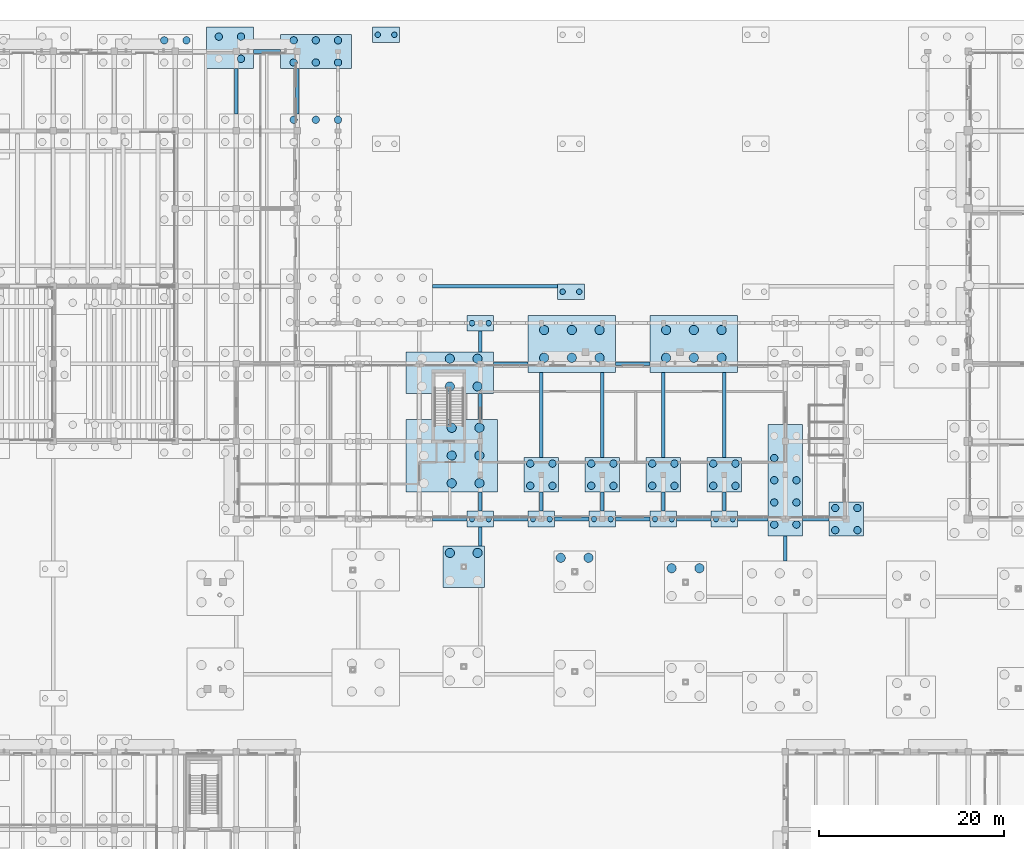
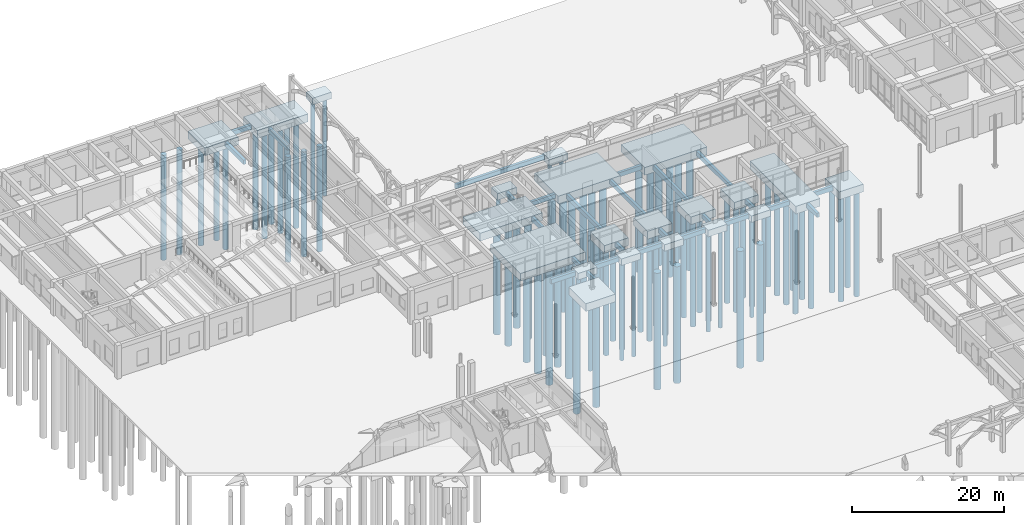
# One storey, part 6 of 82: 85 piles, 47 footings.
"""IFC4 building model written with IfcOpenShell, lengths in metres."""

from ifc_helpers import new_model, si_unit, direction, frame, origin, origin_2d, place, context, subcontext, project, spatial, rectangle, circle, extrude, material, material_profile, profile_set, type_object, element, save


model = new_model("IFC4")

# Units and contexts
model_context = context("Model", 3, precision=1e-05, world=origin(), true_north=direction((0.0, 1.0)))
body_context = subcontext(model_context, "Body", "Model", "MODEL_VIEW")
ifc_project = project(units=[si_unit("LENGTHUNIT", "METRE"), si_unit("AREAUNIT", "SQUARE_METRE"), si_unit("VOLUMEUNIT", "CUBIC_METRE"), si_unit("PLANEANGLEUNIT", "RADIAN"), si_unit("MASSUNIT", "GRAM", prefix="KILO")], contexts=[model_context])

# Site, building, storey
site_placement = place(None, origin())
site = spatial("IfcSite", under=ifc_project, at=site_placement, CompositionType="ELEMENT")
building_placement = place(site_placement, origin())
building = spatial("IfcBuilding", under=site, at=building_placement, Name="Kolvaren Faculty of Natural Sciences", CompositionType="ELEMENT")
storey_placement = place(building_placement, origin())
storey = spatial("IfcBuildingStorey", under=building, at=storey_placement, Name="L00", CompositionType="ELEMENT", Elevation=0.0)

# Piles
ifc_material = material(Name="Concrete C35/45", Category="concrete")
ifc_material_profile_1 = material_profile(ifc_material, circle(Radius=0.5, at=origin_2d()), Name="PILE D1000")
ifc_profile_set_1 = profile_set([ifc_material_profile_1], Name="Concrete C35/45")
pile_type_1 = type_object("IfcPileType", Name="BoredPile_1000", PredefinedType="BORED", material=ifc_profile_set_1)
for number, where, z_axis, x_axis, name in (
    (1, (63.10009765625, 71.27490234375, -1.469970703125), (0.0, 0.0, -1.0), (1.0, 0.0, 0.0), "Rock-socketed bored pile BP-1000 under CAP-154"),
    (2, (63.10009765625, 74.27490234375, -1.469970703125), (0.0, 0.0, -1.0), (1.0, 0.0, 0.0), "Rock-socketed bored pile BP-1000 under CAP-154"),
    (3, (63.10009765625, 77.27490234375, -1.469970703125), (0.0, 0.0, -1.0), (1.0, 0.0, 0.0), "Rock-socketed bored pile BP-1000 under CAP-154"),
    (4, (66.10009765625, 71.27490234375, -1.469970703125), (0.0, 0.0, -1.0), (1.0, 0.0, 0.0), "Rock-socketed bored pile BP-1000 under CAP-154"),
    (5, (66.10009765625, 74.27490234375, -1.469970703125), (0.0, 0.0, -1.0), (1.0, 0.0, 0.0), "Rock-socketed bored pile BP-1000 under CAP-154"),
    (6, (66.10009765625, 77.27490234375, -1.469970703125), (0.0, 0.0, -1.0), (1.0, 0.0, 0.0), "Rock-socketed bored pile BP-1000 under CAP-154"),
    (7, (62.89990234375, 81.75, -1.469970703125), (0.0, 0.0, -1.0), (1.0, 0.0, 0.0), "Rock-socketed bored pile BP-1000 under CAP-155"),
    (8, (62.89990234375, 84.75, -1.469970703125), (0.0, 0.0, -1.0), (1.0, 0.0, 0.0), "Rock-socketed bored pile BP-1000 under CAP-155"),
    (9, (65.89990234375, 81.75, -1.469970703125), (0.0, 0.0, -1.0), (1.0, 0.0, 0.0), "Rock-socketed bored pile BP-1000 under CAP-155"),
    (10, (65.89990234375, 84.75, -1.469970703125), (0.0, 0.0, -1.0), (1.0, 0.0, 0.0), "Rock-socketed bored pile BP-1000 under CAP-155"),
    (11, (62.89990234375, 63.739990234375, -1.469970703125), (0.0, 0.0, -1.0), (1.0, 0.0, 0.0), "Rock-socketed bored pile BP-1000 under CAP-157"),
    (12, (65.89990234375, 63.739990234375, -1.469970703125), (0.0, 0.0, -1.0), (1.0, 0.0, 0.0), "Rock-socketed bored pile BP-1000 under CAP-157"),
    (13, (73.10009765625, 84.85009765625, -1.469970703125), (0.0, 0.0, -1.0), (1.0, 0.0, 0.0), "Rock-socketed bored pile BP-1000 under CAP-164"),
    (14, (73.10009765625, 87.85009765625, -1.469970703125), (0.0, 0.0, -1.0), (1.0, 0.0, 0.0), "Rock-socketed bored pile BP-1000 under CAP-164"),
    (15, (76.10009765625, 84.85009765625, -1.469970703125), (0.0, 0.0, -1.0), (1.0, 0.0, 0.0), "Rock-socketed bored pile BP-1000 under CAP-164"),
    (16, (76.10009765625, 87.85009765625, -1.469970703125), (0.0, 0.0, -1.0), (1.0, 0.0, 0.0), "Rock-socketed bored pile BP-1000 under CAP-164"),
    (17, (79.10009765625, 84.85009765625, -1.469970703125), (0.0, 0.0, -1.0), (1.0, 0.0, 0.0), "Rock-socketed bored pile BP-1000 under CAP-164"),
    (18, (79.10009765625, 87.85009765625, -1.469970703125), (0.0, 0.0, -1.0), (1.0, 0.0, 0.0), "Rock-socketed bored pile BP-1000 under CAP-164"),
    (19, (74.89990234375, 63.2099609375, -1.469970703125), (0.0, 0.0, -1.0), (1.0, 0.0, 0.0), "Rock-socketed bored pile BP-1000 under CAP-166"),
    (20, (77.89990234375, 63.2099609375, -1.469970703125), (0.0, 0.0, -1.0), (1.0, 0.0, 0.0), "Rock-socketed bored pile BP-1000 under CAP-166"),
    (21, (86.300048828125, 84.85009765625, -1.469970703125), (0.0, 0.0, -1.0), (1.0, 0.0, 0.0), "Rock-socketed bored pile BP-1000 under CAP-177"),
    (22, (86.300048828125, 87.85009765625, -1.469970703125), (0.0, 0.0, -1.0), (1.0, 0.0, 0.0), "Rock-socketed bored pile BP-1000 under CAP-177"),
    (23, (89.300048828125, 84.85009765625, -1.469970703125), (0.0, 0.0, -1.0), (1.0, 0.0, 0.0), "Rock-socketed bored pile BP-1000 under CAP-177"),
    (24, (89.300048828125, 87.85009765625, -1.469970703125), (0.0, 0.0, -1.0), (1.0, 0.0, 0.0), "Rock-socketed bored pile BP-1000 under CAP-177"),
    (25, (92.300048828125, 84.85009765625, -1.469970703125), (0.0, 0.0, -1.0), (1.0, 0.0, 0.0), "Rock-socketed bored pile BP-1000 under CAP-177"),
    (26, (92.300048828125, 87.85009765625, -1.469970703125), (0.0, 0.0, -1.0), (1.0, 0.0, 0.0), "Rock-socketed bored pile BP-1000 under CAP-177"),
    (27, (86.89990234375, 62.080078125, -1.469970703125), (0.0, 0.0, -1.0), (1.0, 0.0, 0.0), "Rock-socketed bored pile BP-1000 under CAP-179"),
    (28, (89.89990234375, 62.080078125, -1.469970703125), (0.0, 0.0, -1.0), (1.0, 0.0, 0.0), "Rock-socketed bored pile BP-1000 under CAP-179"),
):
    element("IfcPile", number, at=place(storey_placement, frame(where, z_axis=z_axis, x_axis=x_axis)), inside=storey, type_object=pile_type_1, Name=name, PredefinedType="BORED", context=body_context, shape_type="SweptSolid", body=[
        extrude(circle(Radius=0.5, at=origin_2d()), origin(), (0.0, 0.0, 1.0), 18.830078125),
    ])
ifc_material_profile_2 = material_profile(ifc_material, circle(Radius=0.300048828125, at=origin_2d()), Name="PILE D600")
ifc_profile_set_2 = profile_set([ifc_material_profile_2], Name="Concrete C35/45")
pile_type_2 = type_object("IfcPileType", Name="BoredPile_600", PredefinedType="BORED", material=ifc_profile_set_2)
for number, where, z_axis, x_axis, name in (
    (29, (55.10009765625, 119.800048828125, -1.27001953125), (0.0, 0.0, -1.0), (1.0, 0.0, 0.0), "Rock-socketed bored pile BP-600 under CAP-152"),
    (30, (56.89990234375, 119.800048828125, -1.27001953125), (0.0, 0.0, -1.0), (1.0, 0.0, 0.0), "Rock-socketed bored pile BP-600 under CAP-152"),
    (31, (65.300048828125, 67.39990234375, -1.27001953125), (0.0, 0.0, -1.0), (1.0, 0.0, 0.0), "Rock-socketed bored pile BP-600 under CAP-159"),
    (32, (67.10009765625, 67.39990234375, -1.27001953125), (0.0, 0.0, -1.0), (1.0, 0.0, 0.0), "Rock-socketed bored pile BP-600 under CAP-159"),
    (33, (65.300048828125, 88.60009765625, -1.27001953125), (0.0, 0.0, -1.0), (1.0, 0.0, 0.0), "Rock-socketed bored pile BP-600 under CAP-160"),
    (34, (67.10009765625, 88.60009765625, -1.27001953125), (0.0, 0.0, -1.0), (1.0, 0.0, 0.0), "Rock-socketed bored pile BP-600 under CAP-160"),
    (35, (71.89990234375, 67.39990234375, -1.27001953125), (0.0, 0.0, -1.0), (1.0, 0.0, 0.0), "Rock-socketed bored pile BP-600 under CAP-163"),
    (36, (73.699951171875, 67.39990234375, -1.27001953125), (0.0, 0.0, -1.0), (1.0, 0.0, 0.0), "Rock-socketed bored pile BP-600 under CAP-163"),
    (37, (75.10009765625, 92.0, -1.27001953125), (0.0, 0.0, -1.0), (1.0, 0.0, 0.0), "Rock-socketed bored pile BP-600 under CAP-168"),
    (38, (76.89990234375, 92.0, -1.27001953125), (0.0, 0.0, -1.0), (1.0, 0.0, 0.0), "Rock-socketed bored pile BP-600 under CAP-168"),
    (39, (78.5, 67.39990234375, -1.27001953125), (0.0, 0.0, -1.0), (1.0, 0.0, 0.0), "Rock-socketed bored pile BP-600 under CAP-173"),
    (40, (80.300048828125, 67.39990234375, -1.27001953125), (0.0, 0.0, -1.0), (1.0, 0.0, 0.0), "Rock-socketed bored pile BP-600 under CAP-173"),
    (41, (85.10009765625, 67.39990234375, -1.27001953125), (0.0, 0.0, -1.0), (1.0, 0.0, 0.0), "Rock-socketed bored pile BP-600 under CAP-176"),
    (42, (86.89990234375, 67.39990234375, -1.27001953125), (0.0, 0.0, -1.0), (1.0, 0.0, 0.0), "Rock-socketed bored pile BP-600 under CAP-176"),
    (43, (91.699951171875, 67.39990234375, -1.27001953125), (0.0, 0.0, -1.0), (1.0, 0.0, 0.0), "Rock-socketed bored pile BP-600 under CAP-182"),
    (44, (93.5, 67.39990234375, -1.27001953125), (0.0, 0.0, -1.0), (1.0, 0.0, 0.0), "Rock-socketed bored pile BP-600 under CAP-182"),
):
    element("IfcPile", number, at=place(storey_placement, frame(where, z_axis=z_axis, x_axis=x_axis)), inside=storey, type_object=pile_type_2, Name=name, PredefinedType="BORED", context=body_context, shape_type="SweptSolid", body=[
        extrude(circle(Radius=0.300048828125, at=origin_2d()), origin(), (0.0, 0.0, 1.0), 15.929931640625),
    ])
ifc_material_profile_3 = material_profile(ifc_material, circle(Radius=0.39990234375, at=origin_2d()), Name="PILE D800")
ifc_profile_set_3 = profile_set([ifc_material_profile_3], Name="Concrete C35/45")
pile_type_3 = type_object("IfcPileType", Name="BoredPile_800", PredefinedType="BORED", material=ifc_profile_set_3)
for number, where, z_axis, x_axis, name in (
    (45, (32.0, 119.199951171875, -1.469970703125), (0.0, 0.0, -1.0), (1.0, 0.0, 0.0), "Rock-socketed bored pile BP-800 under CAP-126"),
    (46, (34.39990234375, 119.199951171875, -1.469970703125), (0.0, 0.0, -1.0), (1.0, 0.0, 0.0), "Rock-socketed bored pile BP-800 under CAP-126"),
    (47, (37.89990234375, 119.60009765625, -1.469970703125), (0.0, 0.0, -1.0), (1.0, 0.0, 0.0), "Rock-socketed bored pile BP-800 under CAP-130"),
    (48, (40.300048828125, 117.199951171875, -1.469970703125), (0.0, 0.0, -1.0), (1.0, 0.0, 0.0), "Rock-socketed bored pile BP-800 under CAP-130"),
    (49, (40.300048828125, 119.60009765625, -1.469970703125), (0.0, 0.0, -1.0), (1.0, 0.0, 0.0), "Rock-socketed bored pile BP-800 under CAP-130"),
    (50, (46.0, 110.60009765625, -1.469970703125), (0.0, 0.0, -1.0), (1.0, 0.0, 0.0), "Rock-socketed bored pile BP-800 under CAP-143"),
    (51, (48.39990234375, 110.60009765625, -1.469970703125), (0.0, 0.0, -1.0), (1.0, 0.0, 0.0), "Rock-socketed bored pile BP-800 under CAP-143"),
    (52, (50.800048828125, 110.60009765625, -1.469970703125), (0.0, 0.0, -1.0), (1.0, 0.0, 0.0), "Rock-socketed bored pile BP-800 under CAP-143"),
    (53, (46.0, 116.800048828125, -1.469970703125), (0.0, 0.0, -1.0), (1.0, 0.0, 0.0), "Rock-socketed bored pile BP-800 under CAP-144"),
    (54, (46.0, 119.199951171875, -1.469970703125), (0.0, 0.0, -1.0), (1.0, 0.0, 0.0), "Rock-socketed bored pile BP-800 under CAP-144"),
    (55, (48.39990234375, 116.800048828125, -1.469970703125), (0.0, 0.0, -1.0), (1.0, 0.0, 0.0), "Rock-socketed bored pile BP-800 under CAP-144"),
    (56, (48.39990234375, 119.199951171875, -1.469970703125), (0.0, 0.0, -1.0), (1.0, 0.0, 0.0), "Rock-socketed bored pile BP-800 under CAP-144"),
    (57, (50.800048828125, 116.800048828125, -1.469970703125), (0.0, 0.0, -1.0), (1.0, 0.0, 0.0), "Rock-socketed bored pile BP-800 under CAP-144"),
    (58, (50.800048828125, 119.199951171875, -1.469970703125), (0.0, 0.0, -1.0), (1.0, 0.0, 0.0), "Rock-socketed bored pile BP-800 under CAP-144"),
    (59, (71.60009765625, 71.0, -1.469970703125), (0.0, 0.0, -1.0), (1.0, 0.0, 0.0), "Rock-socketed bored pile BP-800 under CAP-161"),
    (60, (71.60009765625, 73.39990234375, -1.469970703125), (0.0, 0.0, -1.0), (1.0, 0.0, 0.0), "Rock-socketed bored pile BP-800 under CAP-161"),
    (61, (74.0, 71.0, -1.469970703125), (0.0, 0.0, -1.0), (1.0, 0.0, 0.0), "Rock-socketed bored pile BP-800 under CAP-161"),
    (62, (74.0, 73.39990234375, -1.469970703125), (0.0, 0.0, -1.0), (1.0, 0.0, 0.0), "Rock-socketed bored pile BP-800 under CAP-161"),
    (63, (78.199951171875, 71.0, -1.469970703125), (0.0, 0.0, -1.0), (1.0, 0.0, 0.0), "Rock-socketed bored pile BP-800 under CAP-171"),
    (64, (78.199951171875, 73.39990234375, -1.469970703125), (0.0, 0.0, -1.0), (1.0, 0.0, 0.0), "Rock-socketed bored pile BP-800 under CAP-171"),
    (65, (80.60009765625, 71.0, -1.469970703125), (0.0, 0.0, -1.0), (1.0, 0.0, 0.0), "Rock-socketed bored pile BP-800 under CAP-171"),
    (66, (80.60009765625, 73.39990234375, -1.469970703125), (0.0, 0.0, -1.0), (1.0, 0.0, 0.0), "Rock-socketed bored pile BP-800 under CAP-171"),
    (67, (84.800048828125, 71.0, -1.469970703125), (0.0, 0.0, -1.0), (1.0, 0.0, 0.0), "Rock-socketed bored pile BP-800 under CAP-174"),
    (68, (84.800048828125, 73.39990234375, -1.469970703125), (0.0, 0.0, -1.0), (1.0, 0.0, 0.0), "Rock-socketed bored pile BP-800 under CAP-174"),
    (69, (87.199951171875, 71.0, -1.469970703125), (0.0, 0.0, -1.0), (1.0, 0.0, 0.0), "Rock-socketed bored pile BP-800 under CAP-174"),
    (70, (87.199951171875, 73.39990234375, -1.469970703125), (0.0, 0.0, -1.0), (1.0, 0.0, 0.0), "Rock-socketed bored pile BP-800 under CAP-174"),
    (71, (91.39990234375, 71.0, -1.469970703125), (0.0, 0.0, -1.0), (1.0, 0.0, 0.0), "Rock-socketed bored pile BP-800 under CAP-180"),
    (72, (91.39990234375, 73.39990234375, -1.469970703125), (0.0, 0.0, -1.0), (1.0, 0.0, 0.0), "Rock-socketed bored pile BP-800 under CAP-180"),
    (73, (93.800048828125, 71.0, -1.469970703125), (0.0, 0.0, -1.0), (1.0, 0.0, 0.0), "Rock-socketed bored pile BP-800 under CAP-180"),
    (74, (93.800048828125, 73.39990234375, -1.469970703125), (0.0, 0.0, -1.0), (1.0, 0.0, 0.0), "Rock-socketed bored pile BP-800 under CAP-180"),
    (75, (98.0, 66.800048828125, -1.469970703125), (0.0, 0.0, -1.0), (1.0, 0.0, 0.0), "Rock-socketed bored pile BP-800 under CAP-188"),
    (76, (98.0, 69.199951171875, -1.469970703125), (0.0, 0.0, -1.0), (1.0, 0.0, 0.0), "Rock-socketed bored pile BP-800 under CAP-188"),
    (77, (98.0, 71.60009765625, -1.469970703125), (0.0, 0.0, -1.0), (1.0, 0.0, 0.0), "Rock-socketed bored pile BP-800 under CAP-188"),
    (78, (98.0, 74.0, -1.469970703125), (0.0, 0.0, -1.0), (1.0, 0.0, 0.0), "Rock-socketed bored pile BP-800 under CAP-188"),
    (79, (100.39990234375, 66.800048828125, -1.469970703125), (0.0, 0.0, -1.0), (1.0, 0.0, 0.0), "Rock-socketed bored pile BP-800 under CAP-188"),
    (80, (100.39990234375, 69.199951171875, -1.469970703125), (0.0, 0.0, -1.0), (1.0, 0.0, 0.0), "Rock-socketed bored pile BP-800 under CAP-188"),
    (81, (100.39990234375, 71.60009765625, -1.469970703125), (0.0, 0.0, -1.0), (1.0, 0.0, 0.0), "Rock-socketed bored pile BP-800 under CAP-188"),
    (82, (104.60009765625, 66.199951171875, -1.469970703125), (0.0, 0.0, -1.0), (1.0, 0.0, 0.0), "Rock-socketed bored pile BP-800 under CAP-194"),
    (83, (104.60009765625, 68.60009765625, -1.469970703125), (0.0, 0.0, -1.0), (1.0, 0.0, 0.0), "Rock-socketed bored pile BP-800 under CAP-194"),
    (84, (107.0, 66.199951171875, -1.469970703125), (0.0, 0.0, -1.0), (1.0, 0.0, 0.0), "Rock-socketed bored pile BP-800 under CAP-194"),
    (85, (107.0, 68.60009765625, -1.469970703125), (0.0, 0.0, -1.0), (1.0, 0.0, 0.0), "Rock-socketed bored pile BP-800 under CAP-194"),
):
    element("IfcPile", number, at=place(storey_placement, frame(where, z_axis=z_axis, x_axis=x_axis)), inside=storey, type_object=pile_type_3, Name=name, PredefinedType="BORED", context=body_context, shape_type="SweptSolid", body=[
        extrude(circle(Radius=0.39990234375, at=origin_2d()), origin(), (0.0, 0.0, 1.0), 16.929931640625),
    ])

# Footings
ifc_material_profile_4 = material_profile(ifc_material, rectangle(XDim=0.39990234375, YDim=0.699951171875, at=origin_2d()), Name="RC FB 400x700")
ifc_profile_set_4 = profile_set([ifc_material_profile_4], Name="Concrete C35/45")
footing_type_1 = type_object("IfcFootingType", Name="FootingTieBeam_400x700", PredefinedType="FOOTING_BEAM", material=ifc_profile_set_4)
footing_1_placement = place(storey_placement, frame((61.050048828125, 67.39990234375, -0.75), z_axis=(1.0, 0.0, 0.0), x_axis=(0.0, 1.0, 0.0)))
element("IfcFooting", 86, at=footing_1_placement, inside=storey, type_object=footing_type_1, Name="L00 orthogonal foundation tie beam FB-01", PredefinedType="FOOTING_BEAM", context=body_context, shape_type="SweptSolid", body=[
    extrude(rectangle(XDim=0.39990234375, YDim=0.699951171875, at=origin_2d()), origin(), (0.0, 0.0, 1.0), 3.699951171875),
])
footing_2_placement = place(storey_placement, frame((67.64990234375, 67.39990234375, -0.75), z_axis=(1.0, 0.0, 0.0), x_axis=(0.0, 1.0, 0.0)))
element("IfcFooting", 87, at=footing_2_placement, inside=storey, type_object=footing_type_1, Name="L00 orthogonal foundation tie beam FB-01", PredefinedType="FOOTING_BEAM", context=body_context, shape_type="SweptSolid", body=[
    extrude(rectangle(XDim=0.39990234375, YDim=0.699951171875, at=origin_2d()), origin(), (0.0, 0.0, 1.0), 3.7001953125),
])
for number, where, z_axis, x_axis, name in (
    (88, (74.25, 67.39990234375, -0.75), (1.0, 0.0, 0.0), (0.0, 1.0, 0.0), "L00 orthogonal foundation tie beam FB-01"),
    (89, (80.85009765625, 67.39990234375, -0.75), (1.0, 0.0, 0.0), (0.0, 1.0, 0.0), "L00 orthogonal foundation tie beam FB-01"),
    (90, (87.449951171875, 67.39990234375, -0.75), (1.0, 0.0, 0.0), (0.0, 1.0, 0.0), "L00 orthogonal foundation tie beam FB-01"),
):
    element("IfcFooting", number, at=place(storey_placement, frame(where, z_axis=z_axis, x_axis=x_axis)), inside=storey, type_object=footing_type_1, Name=name, PredefinedType="FOOTING_BEAM", context=body_context, shape_type="SweptSolid", body=[
        extrude(rectangle(XDim=0.39990234375, YDim=0.699951171875, at=origin_2d()), origin(), (0.0, 0.0, 1.0), 3.699951171875),
    ])
footing_3_placement = place(storey_placement, frame((94.050048828125, 67.39990234375, -0.75), z_axis=(1.0, 0.0, 0.0), x_axis=(0.0, 1.0, 0.0)))
element("IfcFooting", 91, at=footing_3_placement, inside=storey, type_object=footing_type_1, Name="L00 orthogonal foundation tie beam FB-01", PredefinedType="FOOTING_BEAM", context=body_context, shape_type="SweptSolid", body=[
    extrude(rectangle(XDim=0.39990234375, YDim=0.699951171875, at=origin_2d()), origin(), (0.0, 0.0, 1.0), 3.300048828125),
])
footing_4_placement = place(storey_placement, frame((101.050048828125, 67.39990234375, -0.75), z_axis=(1.0, 0.0, 0.0), x_axis=(0.0, 1.0, 0.0)))
element("IfcFooting", 92, at=footing_4_placement, inside=storey, type_object=footing_type_1, Name="L00 orthogonal foundation tie beam FB-01", PredefinedType="FOOTING_BEAM", context=body_context, shape_type="SweptSolid", body=[
    extrude(rectangle(XDim=0.39990234375, YDim=0.699951171875, at=origin_2d()), origin(), (0.0, 0.0, 1.0), 2.89990234375),
])
footing_5_placement = place(storey_placement, frame((67.64990234375, 84.199951171875, -0.75), z_axis=(1.0, 0.0, 0.0), x_axis=(0.0, 1.0, 0.0)))
element("IfcFooting", 93, at=footing_5_placement, inside=storey, type_object=footing_type_1, Name="L00 orthogonal foundation tie beam FB-01", PredefinedType="FOOTING_BEAM", context=body_context, shape_type="SweptSolid", body=[
    extrude(rectangle(XDim=0.39990234375, YDim=0.699951171875, at=origin_2d()), origin(), (0.0, 0.0, 1.0), 3.7001953125),
])
footing_6_placement = place(storey_placement, frame((80.85009765625, 84.199951171875, -0.75), z_axis=(1.0, 0.0, 0.0), x_axis=(0.0, 1.0, 0.0)))
element("IfcFooting", 94, at=footing_6_placement, inside=storey, type_object=footing_type_1, Name="L00 orthogonal foundation tie beam FB-01", PredefinedType="FOOTING_BEAM", context=body_context, shape_type="SweptSolid", body=[
    extrude(rectangle(XDim=0.39990234375, YDim=0.699951171875, at=origin_2d()), origin(), (0.0, 0.0, 1.0), 3.699951171875),
])
footing_7_placement = place(storey_placement, frame((61.050048828125, 92.60009765625, -0.75), z_axis=(1.0, 0.0, 0.0), x_axis=(0.0, 1.0, 0.0)))
element("IfcFooting", 95, at=footing_7_placement, inside=storey, type_object=footing_type_1, Name="L00 orthogonal foundation tie beam FB-01", PredefinedType="FOOTING_BEAM", context=body_context, shape_type="SweptSolid", body=[
    extrude(rectangle(XDim=0.39990234375, YDim=0.699951171875, at=origin_2d()), origin(), (0.0, 0.0, 1.0), 13.5),
])
footing_8_placement = place(storey_placement, frame((41.64990234375, 118.0, -0.75), z_axis=(1.0, 0.0, 0.0), x_axis=(0.0, 1.0, 0.0)))
element("IfcFooting", 96, at=footing_8_placement, inside=storey, type_object=footing_type_1, Name="L00 orthogonal foundation tie beam FB-01", PredefinedType="FOOTING_BEAM", context=body_context, shape_type="SweptSolid", body=[
    extrude(rectangle(XDim=0.39990234375, YDim=0.699951171875, at=origin_2d()), origin(), (0.0, 0.0, 1.0), 2.900146484375),
])
for number, where, z_axis, x_axis, name in (
    (97, (39.800048828125, 111.25, -0.75), (0.0, 1.0, 0.0), (-1.0, 0.0, 0.0), "L00 orthogonal foundation tie beam FB-01"),
    (98, (46.39990234375, 111.25, -0.75), (0.0, 1.0, 0.0), (-1.0, 0.0, 0.0), "L00 orthogonal foundation tie beam FB-01"),
):
    element("IfcFooting", number, at=place(storey_placement, frame(where, z_axis=z_axis, x_axis=x_axis)), inside=storey, type_object=footing_type_1, Name=name, PredefinedType="FOOTING_BEAM", context=body_context, shape_type="SweptSolid", body=[
        extrude(rectangle(XDim=0.39990234375, YDim=0.699951171875, at=origin_2d()), origin(), (0.0, 0.0, 1.0), 4.89990234375),
    ])
footing_9_placement = place(storey_placement, frame((66.199951171875, 64.489990234375, -0.75), z_axis=(0.0, 1.0, 0.0), x_axis=(-1.0, 0.0, 0.0)))
element("IfcFooting", 99, at=footing_9_placement, inside=storey, type_object=footing_type_1, Name="L00 orthogonal foundation tie beam FB-01", PredefinedType="FOOTING_BEAM", context=body_context, shape_type="SweptSolid", body=[
    extrude(rectangle(XDim=0.39990234375, YDim=0.699951171875, at=origin_2d()), origin(), (0.0, 0.0, 1.0), 2.06005859375),
])
footing_10_placement = place(storey_placement, frame((66.199951171875, 68.25, -0.75), z_axis=(0.0, 1.0, 0.0), x_axis=(-1.0, 0.0, 0.0)))
element("IfcFooting", 100, at=footing_10_placement, inside=storey, type_object=footing_type_1, Name="L00 orthogonal foundation tie beam FB-01", PredefinedType="FOOTING_BEAM", context=body_context, shape_type="SweptSolid", body=[
    extrude(rectangle(XDim=0.39990234375, YDim=0.699951171875, at=origin_2d()), origin(), (0.0, 0.0, 1.0), 2.10009765625),
])
footing_11_placement = place(storey_placement, frame((66.199951171875, 78.199951171875, -0.75), z_axis=(0.0, 1.0, 0.0), x_axis=(-1.0, 0.0, 0.0)))
element("IfcFooting", 101, at=footing_11_placement, inside=storey, type_object=footing_type_1, Name="L00 orthogonal foundation tie beam FB-01", PredefinedType="FOOTING_BEAM", context=body_context, shape_type="SweptSolid", body=[
    extrude(rectangle(XDim=0.39990234375, YDim=0.699951171875, at=origin_2d()), origin(), (0.0, 0.0, 1.0), 2.800048828125),
])
footing_12_placement = place(storey_placement, frame((66.199951171875, 85.5, -0.75), z_axis=(0.0, 1.0, 0.0), x_axis=(-1.0, 0.0, 0.0)))
element("IfcFooting", 102, at=footing_12_placement, inside=storey, type_object=footing_type_1, Name="L00 orthogonal foundation tie beam FB-01", PredefinedType="FOOTING_BEAM", context=body_context, shape_type="SweptSolid", body=[
    extrude(rectangle(XDim=0.39990234375, YDim=0.699951171875, at=origin_2d()), origin(), (0.0, 0.0, 1.0), 2.25),
])
footing_13_placement = place(storey_placement, frame((72.800048828125, 68.25, -0.75), z_axis=(0.0, 1.0, 0.0), x_axis=(-1.0, 0.0, 0.0)))
element("IfcFooting", 103, at=footing_13_placement, inside=storey, type_object=footing_type_1, Name="L00 orthogonal foundation tie beam FB-01", PredefinedType="FOOTING_BEAM", context=body_context, shape_type="SweptSolid", body=[
    extrude(rectangle(XDim=0.39990234375, YDim=0.699951171875, at=origin_2d()), origin(), (0.0, 0.0, 1.0), 2.10009765625),
])
footing_14_placement = place(storey_placement, frame((72.800048828125, 74.050048828125, -0.75), z_axis=(0.0, 1.0, 0.0), x_axis=(-1.0, 0.0, 0.0)))
element("IfcFooting", 104, at=footing_14_placement, inside=storey, type_object=footing_type_1, Name="L00 orthogonal foundation tie beam FB-01", PredefinedType="FOOTING_BEAM", context=body_context, shape_type="SweptSolid", body=[
    extrude(rectangle(XDim=0.39990234375, YDim=0.699951171875, at=origin_2d()), origin(), (0.0, 0.0, 1.0), 9.199951171875),
])
footing_15_placement = place(storey_placement, frame((79.39990234375, 68.25, -0.75), z_axis=(0.0, 1.0, 0.0), x_axis=(-1.0, 0.0, 0.0)))
element("IfcFooting", 105, at=footing_15_placement, inside=storey, type_object=footing_type_1, Name="L00 orthogonal foundation tie beam FB-01", PredefinedType="FOOTING_BEAM", context=body_context, shape_type="SweptSolid", body=[
    extrude(rectangle(XDim=0.39990234375, YDim=0.699951171875, at=origin_2d()), origin(), (0.0, 0.0, 1.0), 2.10009765625),
])
footing_16_placement = place(storey_placement, frame((79.39990234375, 74.050048828125, -0.75), z_axis=(0.0, 1.0, 0.0), x_axis=(-1.0, 0.0, 0.0)))
element("IfcFooting", 106, at=footing_16_placement, inside=storey, type_object=footing_type_1, Name="L00 orthogonal foundation tie beam FB-01", PredefinedType="FOOTING_BEAM", context=body_context, shape_type="SweptSolid", body=[
    extrude(rectangle(XDim=0.39990234375, YDim=0.699951171875, at=origin_2d()), origin(), (0.0, 0.0, 1.0), 9.199951171875),
])
footing_17_placement = place(storey_placement, frame((86.0, 68.25, -0.75), z_axis=(0.0, 1.0, 0.0), x_axis=(-1.0, 0.0, 0.0)))
element("IfcFooting", 107, at=footing_17_placement, inside=storey, type_object=footing_type_1, Name="L00 orthogonal foundation tie beam FB-01", PredefinedType="FOOTING_BEAM", context=body_context, shape_type="SweptSolid", body=[
    extrude(rectangle(XDim=0.39990234375, YDim=0.699951171875, at=origin_2d()), origin(), (0.0, 0.0, 1.0), 2.10009765625),
])
footing_18_placement = place(storey_placement, frame((86.0, 74.050048828125, -0.75), z_axis=(0.0, 1.0, 0.0), x_axis=(-1.0, 0.0, 0.0)))
element("IfcFooting", 108, at=footing_18_placement, inside=storey, type_object=footing_type_1, Name="L00 orthogonal foundation tie beam FB-01", PredefinedType="FOOTING_BEAM", context=body_context, shape_type="SweptSolid", body=[
    extrude(rectangle(XDim=0.39990234375, YDim=0.699951171875, at=origin_2d()), origin(), (0.0, 0.0, 1.0), 9.199951171875),
])
footing_19_placement = place(storey_placement, frame((92.60009765625, 68.25, -0.75), z_axis=(0.0, 1.0, 0.0), x_axis=(-1.0, 0.0, 0.0)))
element("IfcFooting", 109, at=footing_19_placement, inside=storey, type_object=footing_type_1, Name="L00 orthogonal foundation tie beam FB-01", PredefinedType="FOOTING_BEAM", context=body_context, shape_type="SweptSolid", body=[
    extrude(rectangle(XDim=0.39990234375, YDim=0.699951171875, at=origin_2d()), origin(), (0.0, 0.0, 1.0), 2.10009765625),
])
footing_20_placement = place(storey_placement, frame((92.60009765625, 74.050048828125, -0.75), z_axis=(0.0, 1.0, 0.0), x_axis=(-1.0, 0.0, 0.0)))
element("IfcFooting", 110, at=footing_20_placement, inside=storey, type_object=footing_type_1, Name="L00 orthogonal foundation tie beam FB-01", PredefinedType="FOOTING_BEAM", context=body_context, shape_type="SweptSolid", body=[
    extrude(rectangle(XDim=0.39990234375, YDim=0.699951171875, at=origin_2d()), origin(), (0.0, 0.0, 1.0), 9.199951171875),
])
footing_21_placement = place(storey_placement, frame((99.199951171875, 62.85009765625, -0.75), z_axis=(0.0, 1.0, 0.0), x_axis=(-1.0, 0.0, 0.0)))
element("IfcFooting", 111, at=footing_21_placement, inside=storey, type_object=footing_type_1, Name="L00 orthogonal foundation tie beam FB-01", PredefinedType="FOOTING_BEAM", context=body_context, shape_type="SweptSolid", body=[
    extrude(rectangle(XDim=0.39990234375, YDim=0.699951171875, at=origin_2d()), origin(), (0.0, 0.0, 1.0), 2.699951171875),
])
footing_type_2 = type_object("IfcFootingType", Name="PileCap_2900x1700x1050", PredefinedType="PILE_CAP", material=ifc_material)
for number, where, z_axis, x_axis, name in (
    (112, (56.0, 119.800048828125, -1.3701171875), (0.0, 0.0, 1.0), (1.0, 0.0, 0.0), "L00 reinforced concrete pile cap PC-19 (CAP-152)"),
    (113, (66.199951171875, 67.39990234375, -1.3701171875), (0.0, 0.0, 1.0), (1.0, 0.0, 0.0), "L00 reinforced concrete pile cap PC-19 (CAP-159)"),
    (114, (66.199951171875, 88.60009765625, -1.3701171875), (0.0, 0.0, 1.0), (1.0, 0.0, 0.0), "L00 reinforced concrete pile cap PC-19 (CAP-160)"),
    (115, (72.800048828125, 67.39990234375, -1.3701171875), (0.0, 0.0, 1.0), (1.0, 0.0, 0.0), "L00 reinforced concrete pile cap PC-19 (CAP-163)"),
    (116, (76.0, 92.0, -1.3701171875), (0.0, 0.0, 1.0), (1.0, 0.0, 0.0), "L00 reinforced concrete pile cap PC-19 (CAP-168)"),
    (117, (79.39990234375, 67.39990234375, -1.3701171875), (0.0, 0.0, 1.0), (1.0, 0.0, 0.0), "L00 reinforced concrete pile cap PC-19 (CAP-173)"),
    (118, (86.0, 67.39990234375, -1.3701171875), (0.0, 0.0, 1.0), (1.0, 0.0, 0.0), "L00 reinforced concrete pile cap PC-19 (CAP-176)"),
    (119, (92.60009765625, 67.39990234375, -1.3701171875), (0.0, 0.0, 1.0), (1.0, 0.0, 0.0), "L00 reinforced concrete pile cap PC-19 (CAP-182)"),
):
    element("IfcFooting", number, at=place(storey_placement, frame(where, z_axis=z_axis, x_axis=x_axis)), inside=storey, type_object=footing_type_2, Name=name, PredefinedType="PILE_CAP", context=body_context, shape_type="SweptSolid", body=[
        extrude(rectangle(XDim=2.89990234375, YDim=1.699951171875, at=origin_2d()), origin(), (0.0, 0.0, 1.0), 1.050048828125),
    ])
footing_type_3 = type_object("IfcFootingType", Name="PileCap_3700x12100x1250", PredefinedType="PILE_CAP", material=ifc_material)
footing_22_placement = place(storey_placement, frame((99.199951171875, 71.60009765625, -1.570068359375), z_axis=(0.0, 0.0, 1.0), x_axis=(1.0, 0.0, 0.0)))
element("IfcFooting", 120, at=footing_22_placement, inside=storey, type_object=footing_type_3, Name="L00 reinforced concrete pile cap PC-41 (CAP-188)", PredefinedType="PILE_CAP", context=body_context, shape_type="SweptSolid", body=[
    extrude(rectangle(XDim=3.699951171875, YDim=12.10009765625, at=origin_2d()), origin(), (0.0, 0.0, 1.0), 1.25),
])
footing_type_4 = type_object("IfcFootingType", Name="PileCap_3700x3700x1250", PredefinedType="PILE_CAP", material=ifc_material)
for number, where, z_axis, x_axis, name in (
    (121, (72.800048828125, 72.199951171875, -1.570068359375), (0.0, 0.0, 1.0), (1.0, 0.0, 0.0), "L00 reinforced concrete pile cap PC-16 (CAP-161)"),
    (122, (79.39990234375, 72.199951171875, -1.570068359375), (0.0, 0.0, 1.0), (1.0, 0.0, 0.0), "L00 reinforced concrete pile cap PC-16 (CAP-171)"),
    (123, (86.0, 72.199951171875, -1.570068359375), (0.0, 0.0, 1.0), (1.0, 0.0, 0.0), "L00 reinforced concrete pile cap PC-16 (CAP-174)"),
    (124, (92.60009765625, 72.199951171875, -1.570068359375), (0.0, 0.0, 1.0), (1.0, 0.0, 0.0), "L00 reinforced concrete pile cap PC-16 (CAP-180)"),
    (125, (105.800048828125, 67.39990234375, -1.570068359375), (0.0, 0.0, 1.0), (1.0, 0.0, 0.0), "L00 reinforced concrete pile cap PC-16 (CAP-194)"),
):
    element("IfcFooting", number, at=place(storey_placement, frame(where, z_axis=z_axis, x_axis=x_axis)), inside=storey, type_object=footing_type_4, Name=name, PredefinedType="PILE_CAP", context=body_context, shape_type="SweptSolid", body=[
        extrude(rectangle(XDim=3.699951171875, YDim=3.699951171875, at=origin_2d()), origin(), (0.0, 0.0, 1.0), 1.25),
    ])
footing_type_5 = type_object("IfcFootingType", Name="PileCap_4500x4500x1250", PredefinedType="PILE_CAP", material=ifc_material)
footing_23_placement = place(storey_placement, frame((64.39990234375, 62.239990234375, -1.570068359375), z_axis=(0.0, 0.0, 1.0), x_axis=(1.0, 0.0, 0.0)))
element("IfcFooting", 126, at=footing_23_placement, inside=storey, type_object=footing_type_5, Name="L00 reinforced concrete pile cap PC-23 (CAP-157)", PredefinedType="PILE_CAP", context=body_context, shape_type="SweptSolid", body=[
    extrude(rectangle(XDim=4.5, YDim=4.5, at=origin_2d()), origin(), (0.0, 0.0, 1.0), 1.25),
])
footing_type_6 = type_object("IfcFootingType", Name="PileCap_5100x4500x1250", PredefinedType="PILE_CAP", material=ifc_material)
footing_24_placement = place(storey_placement, frame((39.10009765625, 118.39990234375, -1.570068359375), z_axis=(0.0, 0.0, 1.0), x_axis=(1.0, 0.0, 0.0)))
element("IfcFooting", 127, at=footing_24_placement, inside=storey, type_object=footing_type_6, Name="L00 reinforced concrete pile cap PC-27 (CAP-130)", PredefinedType="PILE_CAP", context=body_context, shape_type="SweptSolid", body=[
    extrude(rectangle(XDim=5.10009765625, YDim=4.5, at=origin_2d()), origin(), (0.0, 0.0, 1.0), 1.25),
])
footing_type_7 = type_object("IfcFootingType", Name="PileCap_7700x3700x1250", PredefinedType="PILE_CAP", material=ifc_material)
footing_25_placement = place(storey_placement, frame((48.39990234375, 118.0, -1.570068359375), z_axis=(0.0, 0.0, 1.0), x_axis=(1.0, 0.0, 0.0)))
element("IfcFooting", 128, at=footing_25_placement, inside=storey, type_object=footing_type_7, Name="L00 reinforced concrete pile cap PC-29 (CAP-144)", PredefinedType="PILE_CAP", context=body_context, shape_type="SweptSolid", body=[
    extrude(rectangle(XDim=7.699951171875, YDim=3.699951171875, at=origin_2d()), origin(), (0.0, 0.0, 1.0), 1.25),
])
footing_type_8 = type_object("IfcFootingType", Name="PileCap_9500x4500x1250", PredefinedType="PILE_CAP", material=ifc_material)
footing_26_placement = place(storey_placement, frame((62.89990234375, 83.25, -1.570068359375), z_axis=(0.0, 0.0, 1.0), x_axis=(1.0, 0.0, 0.0)))
element("IfcFooting", 129, at=footing_26_placement, inside=storey, type_object=footing_type_8, Name="L00 reinforced concrete pile cap PC-34 (CAP-155)", PredefinedType="PILE_CAP", context=body_context, shape_type="SweptSolid", body=[
    extrude(rectangle(XDim=9.5, YDim=4.5, at=origin_2d()), origin(), (0.0, 0.0, 1.0), 1.25),
])
footing_type_9 = type_object("IfcFootingType", Name="PileCap_9500x6200x1250", PredefinedType="PILE_CAP", material=ifc_material)
for number, where, z_axis, x_axis, name in (
    (130, (76.10009765625, 86.35009765625, -1.570068359375), (0.0, 0.0, 1.0), (1.0, 0.0, 0.0), "L00 reinforced concrete pile cap PC-36 (CAP-164)"),
    (131, (89.300048828125, 86.35009765625, -1.570068359375), (0.0, 0.0, 1.0), (1.0, 0.0, 0.0), "L00 reinforced concrete pile cap PC-36 (CAP-177)"),
):
    element("IfcFooting", number, at=place(storey_placement, frame(where, z_axis=z_axis, x_axis=x_axis)), inside=storey, type_object=footing_type_9, Name=name, PredefinedType="PILE_CAP", context=body_context, shape_type="SweptSolid", body=[
        extrude(rectangle(XDim=9.5, YDim=6.199951171875, at=origin_2d()), origin(), (0.0, 0.0, 1.0), 1.25),
    ])
footing_type_10 = type_object("IfcFootingType", Name="PileCap_9900x7850x1250", PredefinedType="PILE_CAP", material=ifc_material)
footing_27_placement = place(storey_placement, frame((63.10009765625, 74.27490234375, -1.570068359375), z_axis=(0.0, 0.0, 1.0), x_axis=(1.0, 0.0, 0.0)))
element("IfcFooting", 132, at=footing_27_placement, inside=storey, type_object=footing_type_10, Name="L00 reinforced concrete pile cap PC-33 (CAP-154)", PredefinedType="PILE_CAP", context=body_context, shape_type="SweptSolid", body=[
    extrude(rectangle(XDim=9.89990234375, YDim=7.85009765625, at=origin_2d()), origin(), (0.0, 0.0, 1.0), 1.25),
])

save(model, "model.ifc")
